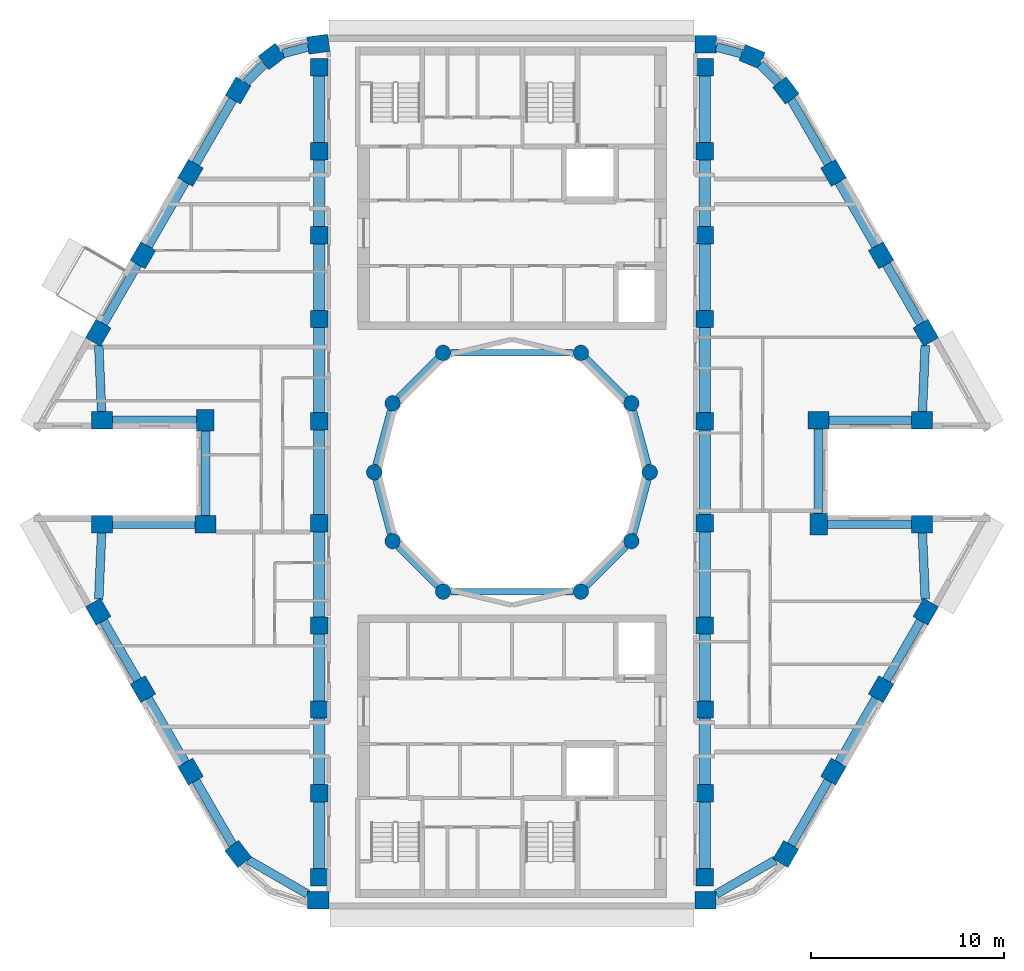
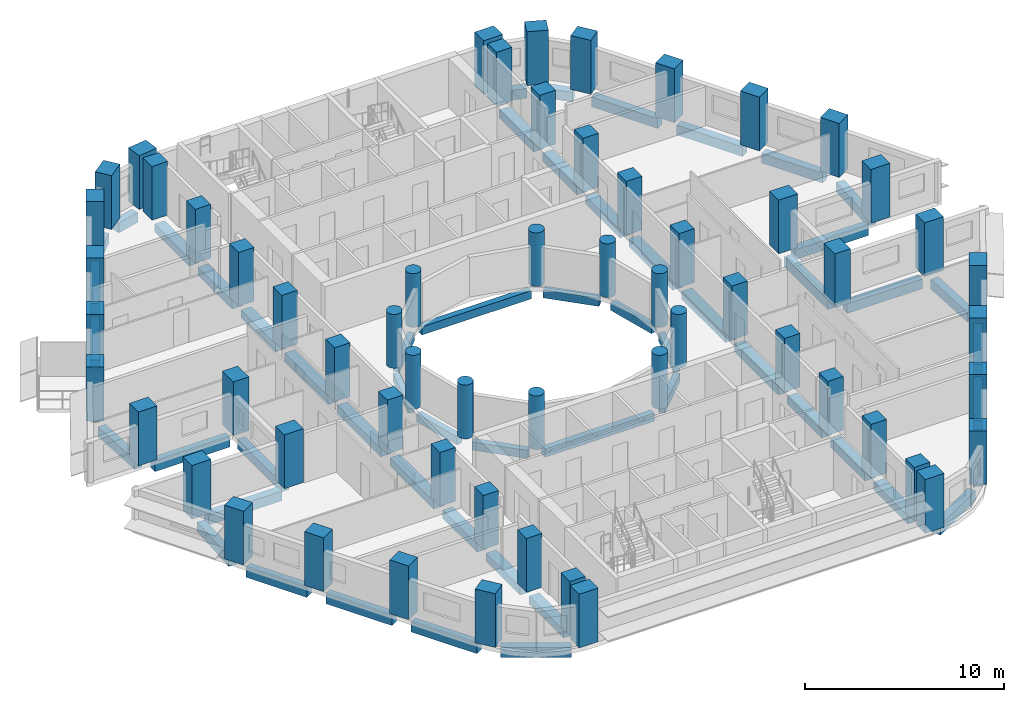
# One storey, part 1 of 13: 60 columns, 56 beams.
"""IFC4 building model written with IfcOpenShell, lengths in metres."""

from ifc_helpers import new_model, si_unit, direction, frame, origin, origin_2d, place, context, subcontext, project, spatial, rectangle, circle, extrude, material, material_profile, profile_set, type_object, element, save


model = new_model("IFC4")

# Units and contexts
model_context = context("Model", 3, precision=1e-05, world=origin(), true_north=direction((0.0, 1.0)))
body_context = subcontext(model_context, "Body", "Model", "MODEL_VIEW")
ifc_project = project(units=[si_unit("LENGTHUNIT", "METRE"), si_unit("AREAUNIT", "SQUARE_METRE"), si_unit("VOLUMEUNIT", "CUBIC_METRE"), si_unit("PLANEANGLEUNIT", "RADIAN"), si_unit("MASSUNIT", "GRAM", prefix="KILO")], contexts=[model_context])

# Site, building, storey
site_placement = place(None, origin())
site = spatial("IfcSite", under=ifc_project, at=site_placement, CompositionType="ELEMENT")
building_placement = place(site_placement, origin())
building = spatial("IfcBuilding", under=site, at=building_placement, Name="Nakaniwa Court", CompositionType="ELEMENT")
storey_placement = place(building_placement, frame((0.0, 0.0, 246.0)))
storey = spatial("IfcBuildingStorey", under=building, at=storey_placement, Name="L64", CompositionType="ELEMENT", Elevation=246.0)

# Columns
ifc_material = material(Name="Concrete C80/100", Category="concrete")
ifc_material_profile_1 = material_profile(ifc_material, rectangle(XDim=1.10009765625, YDim=0.89990234375, at=origin_2d()), Name="Concrete C80/100 RC 1100x900 perimeter column")
ifc_profile_set_1 = profile_set([ifc_material_profile_1], Name="Concrete C80/100")
column_type_1 = type_object("IfcColumnType", Name="Concrete C80/100 RC 1100x900 perimeter column", PredefinedType="COLUMN", material=ifc_profile_set_1)
for number, where, z_axis, x_axis, name in (
    (1, (69.95458984375, 102.199951171875, 0.0), (0.0, 0.0, 1.0), (-0.991442583111, -0.130543496177, 0.0), "COLUMN CO-01"),
    (2, (67.552001953125, 101.560302734375, 0.0), (0.0, 0.0, 1.0), (-0.793363965062, -0.608747582288, 0.0), "COLUMN CO-02"),
    (3, (65.796875, 99.799560546875, 0.0), (0.0, 0.0, 1.0), (-0.5, -0.866025403784, 0.0), "COLUMN CO-03"),
    (4, (63.328857421875, 95.524658203125, 0.0), (0.0, 0.0, 1.0), (-0.5, -0.866025403784, 0.0), "COLUMN CO-04"),
    (5, (60.860595703125, 91.249755859375, 0.0), (0.0, 0.0, 1.0), (-0.5, -0.866025403784, 0.0), "COLUMN CO-05"),
    (6, (58.541015625, 87.232177734375, 0.0), (0.0, 0.0, 1.0), (-0.5, -0.866025403784, 0.0), "COLUMN CO-06"),
    (7, (58.736083984375, 82.699951171875, 0.0), (0.0, 0.0, 1.0), (1.0, 0.0, 0.0), "COLUMN CO-08"),
    (8, (64.1005859375, 82.699951171875, 0.0), (0.0, 0.0, 1.0), (0.0, -1.0, 0.0), "COLUMN CO-09"),
    (9, (64.1005859375, 77.300048828125, 0.0), (0.0, 0.0, 1.0), (-1.0, 0.0, 0.0), "COLUMN CO-10"),
    (10, (58.736083984375, 77.300048828125, 0.0), (0.0, 0.0, 1.0), (-1.0, 0.0, 0.0), "COLUMN CO-11"),
    (11, (58.541015625, 72.767822265625, 0.0), (0.0, 0.0, 1.0), (0.5, -0.866025403784, 0.0), "COLUMN CO-13"),
    (12, (60.860595703125, 68.750244140625, 0.0), (0.0, 0.0, 1.0), (0.5, -0.866025403784, 0.0), "COLUMN CO-14"),
    (13, (63.328857421875, 64.475341796875, 0.0), (0.0, 0.0, 1.0), (0.5, -0.866025403784, 0.0), "COLUMN CO-15"),
    (14, (65.796875, 60.200439453125, 0.0), (0.0, 0.0, 1.0), (0.608761429009, -0.793353340291, 0.0), "COLUMN CO-16"),
    (15, (69.95458984375, 57.800048828125, 0.0), (0.0, 0.0, 1.0), (1.0, 0.0, 0.0), "COLUMN CO-17"),
    (16, (90.03955078125, 57.800048828125, 0.0), (0.0, 0.0, 1.0), (1.0, 0.0, 0.0), "COLUMN CO-21"),
    (17, (94.203125, 60.200439453125, 0.0), (0.0, 0.0, 1.0), (0.5, 0.866025403784, 0.0), "COLUMN CO-22"),
    (18, (96.671142578125, 64.475341796875, 0.0), (0.0, 0.0, 1.0), (0.5, 0.866025403784, 0.0), "COLUMN CO-23"),
    (19, (99.139404296875, 68.750244140625, 0.0), (0.0, 0.0, 1.0), (0.5, 0.866025403784, 0.0), "COLUMN CO-24"),
    (20, (101.458984375, 72.767822265625, 0.0), (0.0, 0.0, 1.0), (0.5, 0.866025403784, 0.0), "COLUMN CO-25"),
    (21, (101.263916015625, 77.300048828125, 0.0), (0.0, 0.0, 1.0), (-1.0, 0.0, 0.0), "COLUMN CO-27"),
    (22, (95.8994140625, 77.300048828125, 0.0), (0.0, 0.0, 1.0), (0.0, 1.0, 0.0), "COLUMN CO-28"),
    (23, (95.8994140625, 82.699951171875, 0.0), (0.0, 0.0, 1.0), (1.0, 0.0, 0.0), "COLUMN CO-29"),
    (24, (101.263916015625, 82.699951171875, 0.0), (0.0, 0.0, 1.0), (1.0, 0.0, 0.0), "COLUMN CO-30"),
    (25, (101.458984375, 87.232177734375, 0.0), (0.0, 0.0, 1.0), (-0.5, 0.866025403784, 0.0), "COLUMN CO-32"),
    (26, (99.139404296875, 91.249755859375, 0.0), (0.0, 0.0, 1.0), (-0.5, 0.866025403784, 0.0), "COLUMN CO-33"),
    (27, (96.671142578125, 95.524658203125, 0.0), (0.0, 0.0, 1.0), (-0.5, 0.866025403784, 0.0), "COLUMN CO-34"),
    (28, (94.203125, 99.799560546875, 0.0), (0.0, 0.0, 1.0), (-0.608761429009, 0.793353340291, 0.0), "COLUMN CO-35"),
    (29, (92.447998046875, 101.560302734375, 0.0), (0.0, 0.0, 1.0), (-0.923879532511, 0.382683432365, 0.0), "COLUMN CO-36"),
    (30, (90.04541015625, 102.199951171875, 0.0), (0.0, 0.0, 1.0), (-1.0, 0.0, 0.0), "COLUMN CO-37"),
):
    element("IfcColumn", number, at=place(storey_placement, frame(where, z_axis=z_axis, x_axis=x_axis)), inside=storey, type_object=column_type_1, Name=name, PredefinedType="COLUMN", context=body_context, shape_type="SweptSolid", body=[
        extrude(rectangle(XDim=1.10009765625, YDim=0.89990234375, at=origin_2d()), origin(), (0.0, 0.0, 1.0), 3.300048828125),
    ])
ifc_material_profile_2 = material_profile(ifc_material, rectangle(XDim=0.89990234375, YDim=0.89990234375, at=origin_2d()), Name="Concrete C80/100 RC 900x900 spine column")
ifc_profile_set_2 = profile_set([ifc_material_profile_2], Name="Concrete C80/100")
column_type_2 = type_object("IfcColumnType", Name="Concrete C80/100 RC 900x900 spine column", PredefinedType="COLUMN", material=ifc_profile_set_2)
for number, where, z_axis, x_axis, name in (
    (31, (90.0, 59.0, 0.0), (0.0, 0.0, 1.0), (0.0, 1.0, 0.0), "COLUMN CS-01"),
    (32, (90.0, 63.35009765625, 0.0), (0.0, 0.0, 1.0), (0.0, 1.0, 0.0), "COLUMN CS-02"),
    (33, (90.0, 67.699951171875, 0.0), (0.0, 0.0, 1.0), (0.0, 1.0, 0.0), "COLUMN CS-03"),
    (34, (90.0, 72.050048828125, 0.0), (0.0, 0.0, 1.0), (0.0, 1.0, 0.0), "COLUMN CS-04"),
    (35, (90.0, 77.35009765625, 0.0), (0.0, 0.0, 1.0), (0.0, 1.0, 0.0), "COLUMN CS-05"),
    (36, (90.0, 82.64990234375, 0.0), (0.0, 0.0, 1.0), (0.0, 1.0, 0.0), "COLUMN CS-06"),
    (37, (90.0, 87.949951171875, 0.0), (0.0, 0.0, 1.0), (0.0, 1.0, 0.0), "COLUMN CS-07"),
    (38, (90.0, 92.300048828125, 0.0), (0.0, 0.0, 1.0), (0.0, 1.0, 0.0), "COLUMN CS-08"),
    (39, (90.0, 96.64990234375, 0.0), (0.0, 0.0, 1.0), (0.0, 1.0, 0.0), "COLUMN CS-09"),
    (40, (90.0, 101.0, 0.0), (0.0, 0.0, 1.0), (0.0, 1.0, 0.0), "COLUMN CS-10"),
    (41, (70.0, 101.0, 0.0), (0.0, 0.0, 1.0), (0.0, -1.0, 0.0), "COLUMN CS-11"),
    (42, (70.0, 96.64990234375, 0.0), (0.0, 0.0, 1.0), (0.0, -1.0, 0.0), "COLUMN CS-12"),
    (43, (70.0, 92.300048828125, 0.0), (0.0, 0.0, 1.0), (0.0, -1.0, 0.0), "COLUMN CS-13"),
    (44, (70.0, 87.949951171875, 0.0), (0.0, 0.0, 1.0), (0.0, -1.0, 0.0), "COLUMN CS-14"),
    (45, (70.0, 82.64990234375, 0.0), (0.0, 0.0, 1.0), (0.0, -1.0, 0.0), "COLUMN CS-15"),
    (46, (70.0, 77.35009765625, 0.0), (0.0, 0.0, 1.0), (0.0, -1.0, 0.0), "COLUMN CS-16"),
    (47, (70.0, 72.050048828125, 0.0), (0.0, 0.0, 1.0), (0.0, -1.0, 0.0), "COLUMN CS-17"),
    (48, (70.0, 67.699951171875, 0.0), (0.0, 0.0, 1.0), (0.0, -1.0, 0.0), "COLUMN CS-18"),
    (49, (70.0, 63.35009765625, 0.0), (0.0, 0.0, 1.0), (0.0, -1.0, 0.0), "COLUMN CS-19"),
    (50, (70.0, 59.0, 0.0), (0.0, 0.0, 1.0), (0.0, -1.0, 0.0), "COLUMN CS-20"),
):
    element("IfcColumn", number, at=place(storey_placement, frame(where, z_axis=z_axis, x_axis=x_axis)), inside=storey, type_object=column_type_2, Name=name, PredefinedType="COLUMN", context=body_context, shape_type="SweptSolid", body=[
        extrude(rectangle(XDim=0.89990234375, YDim=0.89990234375, at=origin_2d()), origin(), (0.0, 0.0, 1.0), 3.300048828125),
    ])
ifc_material_profile_3 = material_profile(ifc_material, circle(Radius=0.39990234375, at=origin_2d()), Name="Concrete C80/100 RC D800 inner ring column")
ifc_profile_set_3 = profile_set([ifc_material_profile_3], Name="Concrete C80/100")
column_type_3 = type_object("IfcColumnType", Name="Concrete C80/100 RC D800 inner ring column", PredefinedType="COLUMN", material=ifc_profile_set_3)
for number, where, z_axis, x_axis, name in (
    (51, (87.14990234375, 80.0, 0.0), (0.0, 0.0, 1.0), (0.0, 1.0, 0.0), "COLUMN CI-01"),
    (52, (86.192138671875, 83.574951171875, 0.0), (0.0, 0.0, 1.0), (-0.5, 0.866025403784, 0.0), "COLUMN CI-02"),
    (53, (83.574951171875, 86.192138671875, 0.0), (0.0, 0.0, 1.0), (-0.866025403784, 0.5, 0.0), "COLUMN CI-03"),
    (54, (76.425048828125, 86.192138671875, 0.0), (0.0, 0.0, 1.0), (-0.866025403784, -0.5, 0.0), "COLUMN CI-05"),
    (55, (73.807861328125, 83.574951171875, 0.0), (0.0, 0.0, 1.0), (-0.5, -0.866025403784, 0.0), "COLUMN CI-06"),
    (56, (72.85009765625, 80.0, 0.0), (0.0, 0.0, 1.0), (0.0, -1.0, 0.0), "COLUMN CI-07"),
    (57, (73.807861328125, 76.425048828125, 0.0), (0.0, 0.0, 1.0), (0.5, -0.866025403784, 0.0), "COLUMN CI-08"),
    (58, (76.425048828125, 73.807861328125, 0.0), (0.0, 0.0, 1.0), (0.866025403784, -0.5, 0.0), "COLUMN CI-09"),
    (59, (83.574951171875, 73.807861328125, 0.0), (0.0, 0.0, 1.0), (0.866025403784, 0.5, 0.0), "COLUMN CI-11"),
    (60, (86.192138671875, 76.425048828125, 0.0), (0.0, 0.0, 1.0), (0.5, 0.866025403784, 0.0), "COLUMN CI-12"),
):
    element("IfcColumn", number, at=place(storey_placement, frame(where, z_axis=z_axis, x_axis=x_axis)), inside=storey, type_object=column_type_3, Name=name, PredefinedType="COLUMN", context=body_context, shape_type="SweptSolid", body=[
        extrude(circle(Radius=0.39990234375, at=origin_2d()), origin(), (0.0, 0.0, 1.0), 3.300048828125),
    ])

# Beams
ifc_material_profile_4 = material_profile(ifc_material, rectangle(XDim=0.35009765625, YDim=0.5, at=origin_2d()), Name="Concrete C80/100 RC 350x500 ring beam")
ifc_profile_set_4 = profile_set([ifc_material_profile_4], Name="Concrete C80/100")
beam_type_1 = type_object("IfcBeamType", Name="Concrete C80/100 RC 350x500 ring beam", PredefinedType="BEAM", material=ifc_profile_set_4)
beam_1_placement = place(storey_placement, frame((87.04638671875, 80.386474609375, -0.52490234375), z_axis=(-0.258778150207, 0.965936783115, 0.0), x_axis=(-0.965936783115, -0.258778150207, 0.0)))
element("IfcBeam", 61, at=beam_1_placement, inside=storey, type_object=beam_type_1, Name="RING BEAM", PredefinedType="BEAM", context=body_context, shape_type="SweptSolid", body=[
    extrude(rectangle(XDim=0.35009765625, YDim=0.5, at=origin_2d()), origin(), (0.0, 0.0, 1.0), 2.901123046875),
])
beam_2_placement = place(storey_placement, frame((85.9091796875, 83.85791015625, -0.52490234375), z_axis=(-0.707106781187, 0.707106781187, 0.0), x_axis=(-0.707106781187, -0.707106781187, 0.0)))
element("IfcBeam", 62, at=beam_2_placement, inside=storey, type_object=beam_type_1, Name="RING BEAM", PredefinedType="BEAM", context=body_context, shape_type="SweptSolid", body=[
    extrude(rectangle(XDim=0.35009765625, YDim=0.5, at=origin_2d()), origin(), (0.0, 0.0, 1.0), 2.90087890625),
])
beam_3_placement = place(storey_placement, frame((83.175048828125, 86.192138671875, -0.52490234375), z_axis=(-1.0, 0.0, 0.0), x_axis=(0.0, -1.0, 0.0)))
element("IfcBeam", 63, at=beam_3_placement, inside=storey, type_object=beam_type_1, Name="RING BEAM", PredefinedType="BEAM", context=body_context, shape_type="SweptSolid", body=[
    extrude(rectangle(XDim=0.35009765625, YDim=0.5, at=origin_2d()), origin(), (0.0, 0.0, 1.0), 6.35009765625),
])
beam_4_placement = place(storey_placement, frame((76.14208984375, 85.9091796875, -0.52490234375), z_axis=(-0.707106781187, -0.707106781187, 0.0), x_axis=(0.707106781187, -0.707106781187, 0.0)))
element("IfcBeam", 64, at=beam_4_placement, inside=storey, type_object=beam_type_1, Name="RING BEAM", PredefinedType="BEAM", context=body_context, shape_type="SweptSolid", body=[
    extrude(rectangle(XDim=0.35009765625, YDim=0.5, at=origin_2d()), origin(), (0.0, 0.0, 1.0), 2.90087890625),
])
for number, where, z_axis, x_axis, name in (
    (65, (73.704345703125, 83.188720703125, -0.52490234375), (-0.258778150207, -0.965936783115, 0.0), (0.965936783115, -0.258778150207, 0.0), "RING BEAM"),
    (66, (72.95361328125, 79.613525390625, -0.52490234375), (0.258778150207, -0.965936783115, 0.0), (0.965936783115, 0.258778150207, 0.0), "RING BEAM"),
):
    element("IfcBeam", number, at=place(storey_placement, frame(where, z_axis=z_axis, x_axis=x_axis)), inside=storey, type_object=beam_type_1, Name=name, PredefinedType="BEAM", context=body_context, shape_type="SweptSolid", body=[
        extrude(rectangle(XDim=0.35009765625, YDim=0.5, at=origin_2d()), origin(), (0.0, 0.0, 1.0), 2.901123046875),
    ])
beam_5_placement = place(storey_placement, frame((74.0908203125, 76.14208984375, -0.52490234375), z_axis=(0.707106781187, -0.707106781187, 0.0), x_axis=(0.707106781187, 0.707106781187, 0.0)))
element("IfcBeam", 67, at=beam_5_placement, inside=storey, type_object=beam_type_1, Name="RING BEAM", PredefinedType="BEAM", context=body_context, shape_type="SweptSolid", body=[
    extrude(rectangle(XDim=0.35009765625, YDim=0.5, at=origin_2d()), origin(), (0.0, 0.0, 1.0), 2.90087890625),
])
beam_6_placement = place(storey_placement, frame((76.824951171875, 73.807861328125, -0.52490234375), z_axis=(1.0, 0.0, 0.0), x_axis=(0.0, 1.0, 0.0)))
element("IfcBeam", 68, at=beam_6_placement, inside=storey, type_object=beam_type_1, Name="RING BEAM", PredefinedType="BEAM", context=body_context, shape_type="SweptSolid", body=[
    extrude(rectangle(XDim=0.35009765625, YDim=0.5, at=origin_2d()), origin(), (0.0, 0.0, 1.0), 6.35009765625),
])
beam_7_placement = place(storey_placement, frame((83.85791015625, 74.0908203125, -0.52490234375), z_axis=(0.707106781187, 0.707106781187, 0.0), x_axis=(-0.707106781187, 0.707106781187, 0.0)))
element("IfcBeam", 69, at=beam_7_placement, inside=storey, type_object=beam_type_1, Name="RING BEAM", PredefinedType="BEAM", context=body_context, shape_type="SweptSolid", body=[
    extrude(rectangle(XDim=0.35009765625, YDim=0.5, at=origin_2d()), origin(), (0.0, 0.0, 1.0), 2.90087890625),
])
beam_8_placement = place(storey_placement, frame((86.295654296875, 76.811279296875, -0.52490234375), z_axis=(0.258778150207, 0.965936783115, 0.0), x_axis=(-0.965936783115, 0.258778150207, 0.0)))
element("IfcBeam", 70, at=beam_8_placement, inside=storey, type_object=beam_type_1, Name="RING BEAM", PredefinedType="BEAM", context=body_context, shape_type="SweptSolid", body=[
    extrude(rectangle(XDim=0.35009765625, YDim=0.5, at=origin_2d()), origin(), (0.0, 0.0, 1.0), 2.901123046875),
])
ifc_material_profile_5 = material_profile(ifc_material, rectangle(XDim=0.449951171875, YDim=0.60009765625, at=origin_2d()), Name="Concrete C80/100 RC 450x600 spandrel beam")
ifc_profile_set_5 = profile_set([ifc_material_profile_5], Name="Concrete C80/100")
beam_type_2 = type_object("IfcBeamType", Name="Concrete C80/100 RC 450x600 spandrel beam", PredefinedType="BEAM", material=ifc_profile_set_5)
beam_9_placement = place(storey_placement, frame((69.418701171875, 102.057373046875, -0.574951171875), z_axis=(-0.966286479475, -0.257469298332, 0.0), x_axis=(0.257469298332, -0.966286479475, 0.0)))
element("IfcBeam", 71, at=beam_9_placement, inside=storey, type_object=beam_type_2, Name="SPANDREL BEAM", PredefinedType="BEAM", context=body_context, shape_type="SweptSolid", body=[
    extrude(rectangle(XDim=0.449951171875, YDim=0.60009765625, at=origin_2d()), origin(), (0.0, 0.0, 1.0), 1.3359375),
])
beam_10_placement = place(storey_placement, frame((67.160400390625, 101.167236328125, -0.574951171875), z_axis=(-0.706030517025, -0.708181409689, 0.0), x_axis=(0.708181409689, -0.706030517025, 0.0)))
element("IfcBeam", 72, at=beam_10_placement, inside=storey, type_object=beam_type_2, Name="SPANDREL BEAM", PredefinedType="BEAM", context=body_context, shape_type="SweptSolid", body=[
    extrude(rectangle(XDim=0.449951171875, YDim=0.60009765625, at=origin_2d()), origin(), (0.0, 0.0, 1.0), 1.362060546875),
])
for number, where, z_axis, x_axis, name in (
    (73, (65.52197265625, 99.3232421875, -0.574951171875), (-0.50001992892, -0.866013897511, 0.0), (0.866013897511, -0.50001992892, 0.0), "SPANDREL BEAM"),
    (74, (63.0537109375, 95.04833984375, -0.574951171875), (-0.499972197867, -0.866041454758, 0.0), (0.866041454758, -0.499972197867, 0.0), "SPANDREL BEAM"),
):
    element("IfcBeam", number, at=place(storey_placement, frame(where, z_axis=z_axis, x_axis=x_axis)), inside=storey, type_object=beam_type_2, Name=name, PredefinedType="BEAM", context=body_context, shape_type="SweptSolid", body=[
        extrude(rectangle(XDim=0.449951171875, YDim=0.60009765625, at=origin_2d()), origin(), (0.0, 0.0, 1.0), 3.836181640625),
    ])
beam_11_placement = place(storey_placement, frame((60.585693359375, 90.7734375, -0.574951171875), z_axis=(-0.499997139945, -0.866027055032, 0.0), x_axis=(0.866027055032, -0.499997139945, 0.0)))
element("IfcBeam", 75, at=beam_11_placement, inside=storey, type_object=beam_type_2, Name="SPANDREL BEAM", PredefinedType="BEAM", context=body_context, shape_type="SweptSolid", body=[
    extrude(rectangle(XDim=0.449951171875, YDim=0.60009765625, at=origin_2d()), origin(), (0.0, 0.0, 1.0), 3.5390625),
])
beam_12_placement = place(storey_placement, frame((58.569091796875, 86.580810546875, -0.574951171875), z_axis=(0.042940503042, -0.999077631217, 0.0), x_axis=(0.999077631217, 0.042940503042, 0.0)))
element("IfcBeam", 76, at=beam_12_placement, inside=storey, type_object=beam_type_2, Name="SPANDREL BEAM", PredefinedType="BEAM", context=body_context, shape_type="SweptSolid", body=[
    extrude(rectangle(XDim=0.449951171875, YDim=0.60009765625, at=origin_2d()), origin(), (0.0, 0.0, 1.0), 3.43408203125),
])
beam_13_placement = place(storey_placement, frame((59.285888671875, 82.699951171875, -0.574951171875), z_axis=(1.0, 0.0, 0.0), x_axis=(0.0, 1.0, 0.0)))
element("IfcBeam", 77, at=beam_13_placement, inside=storey, type_object=beam_type_2, Name="SPANDREL BEAM", PredefinedType="BEAM", context=body_context, shape_type="SweptSolid", body=[
    extrude(rectangle(XDim=0.449951171875, YDim=0.60009765625, at=origin_2d()), origin(), (0.0, 0.0, 1.0), 4.364501953125),
])
beam_14_placement = place(storey_placement, frame((64.1005859375, 82.14990234375, -0.574951171875), z_axis=(0.0, -1.0, 0.0), x_axis=(1.0, 0.0, 0.0)))
element("IfcBeam", 78, at=beam_14_placement, inside=storey, type_object=beam_type_2, Name="SPANDREL BEAM", PredefinedType="BEAM", context=body_context, shape_type="SweptSolid", body=[
    extrude(rectangle(XDim=0.449951171875, YDim=0.60009765625, at=origin_2d()), origin(), (0.0, 0.0, 1.0), 4.39990234375),
])
beam_15_placement = place(storey_placement, frame((63.550537109375, 77.300048828125, -0.574951171875), z_axis=(-1.0, 0.0, 0.0), x_axis=(0.0, -1.0, 0.0)))
element("IfcBeam", 79, at=beam_15_placement, inside=storey, type_object=beam_type_2, Name="SPANDREL BEAM", PredefinedType="BEAM", context=body_context, shape_type="SweptSolid", body=[
    extrude(rectangle(XDim=0.449951171875, YDim=0.60009765625, at=origin_2d()), origin(), (0.0, 0.0, 1.0), 4.2646484375),
])
beam_16_placement = place(storey_placement, frame((58.716552734375, 76.85009765625, -0.574951171875), z_axis=(-0.042940503042, -0.999077631217, 0.0), x_axis=(0.999077631217, -0.042940503042, 0.0)))
element("IfcBeam", 80, at=beam_16_placement, inside=storey, type_object=beam_type_2, Name="SPANDREL BEAM", PredefinedType="BEAM", context=body_context, shape_type="SweptSolid", body=[
    extrude(rectangle(XDim=0.449951171875, YDim=0.60009765625, at=origin_2d()), origin(), (0.0, 0.0, 1.0), 3.43408203125),
])
beam_17_placement = place(storey_placement, frame((58.816162109375, 72.29150390625, -0.574951171875), z_axis=(0.499997139945, -0.866027055032, 0.0), x_axis=(0.866027055032, 0.499997139945, 0.0)))
element("IfcBeam", 81, at=beam_17_placement, inside=storey, type_object=beam_type_2, Name="SPANDREL BEAM", PredefinedType="BEAM", context=body_context, shape_type="SweptSolid", body=[
    extrude(rectangle(XDim=0.449951171875, YDim=0.60009765625, at=origin_2d()), origin(), (0.0, 0.0, 1.0), 3.5390625),
])
beam_18_placement = place(storey_placement, frame((61.1357421875, 68.27392578125, -0.574951171875), z_axis=(0.499972197867, -0.866041454758, 0.0), x_axis=(0.866041454758, 0.499972197867, 0.0)))
element("IfcBeam", 82, at=beam_18_placement, inside=storey, type_object=beam_type_2, Name="SPANDREL BEAM", PredefinedType="BEAM", context=body_context, shape_type="SweptSolid", body=[
    extrude(rectangle(XDim=0.449951171875, YDim=0.60009765625, at=origin_2d()), origin(), (0.0, 0.0, 1.0), 3.836181640625),
])
beam_19_placement = place(storey_placement, frame((63.603759765625, 63.9990234375, -0.574951171875), z_axis=(0.500011110731, -0.866018988906, 0.0), x_axis=(0.866018988906, 0.500011110731, 0.0)))
element("IfcBeam", 83, at=beam_19_placement, inside=storey, type_object=beam_type_2, Name="SPANDREL BEAM", PredefinedType="BEAM", context=body_context, shape_type="SweptSolid", body=[
    extrude(rectangle(XDim=0.449951171875, YDim=0.60009765625, at=origin_2d()), origin(), (0.0, 0.0, 1.0), 3.83154296875),
])
beam_20_placement = place(storey_placement, frame((66.3125, 59.90283203125, -0.574951171875), z_axis=(0.866017069707, -0.500014434768, 0.0), x_axis=(0.500014434768, 0.866017069707, 0.0)))
element("IfcBeam", 84, at=beam_20_placement, inside=storey, type_object=beam_type_2, Name="SPANDREL BEAM", PredefinedType="BEAM", context=body_context, shape_type="SweptSolid", body=[
    extrude(rectangle(XDim=0.449951171875, YDim=0.60009765625, at=origin_2d()), origin(), (0.0, 0.0, 1.0), 3.57080078125),
])
beam_21_placement = place(storey_placement, frame((90.589599609375, 58.1171875, -0.574951171875), z_axis=(0.866307414098, 0.499511225378, 0.0), x_axis=(-0.499511225378, 0.866307414098, 0.0)))
element("IfcBeam", 85, at=beam_21_placement, inside=storey, type_object=beam_type_2, Name="SPANDREL BEAM", PredefinedType="BEAM", context=body_context, shape_type="SweptSolid", body=[
    extrude(rectangle(XDim=0.449951171875, YDim=0.60009765625, at=origin_2d()), origin(), (0.0, 0.0, 1.0), 3.53564453125),
])
for number, where, z_axis, x_axis, name in (
    (86, (94.47802734375, 60.6767578125, -0.574951171875), (0.50001992892, 0.866013897511, 0.0), (-0.866013897511, 0.50001992892, 0.0), "SPANDREL BEAM"),
    (87, (96.9462890625, 64.95166015625, -0.574951171875), (0.499972197867, 0.866041454758, 0.0), (-0.866041454758, 0.499972197867, 0.0), "SPANDREL BEAM"),
):
    element("IfcBeam", number, at=place(storey_placement, frame(where, z_axis=z_axis, x_axis=x_axis)), inside=storey, type_object=beam_type_2, Name=name, PredefinedType="BEAM", context=body_context, shape_type="SweptSolid", body=[
        extrude(rectangle(XDim=0.449951171875, YDim=0.60009765625, at=origin_2d()), origin(), (0.0, 0.0, 1.0), 3.836181640625),
    ])
beam_22_placement = place(storey_placement, frame((99.414306640625, 69.2265625, -0.574951171875), z_axis=(0.499997139945, 0.866027055032, 0.0), x_axis=(-0.866027055032, 0.499997139945, 0.0)))
element("IfcBeam", 88, at=beam_22_placement, inside=storey, type_object=beam_type_2, Name="SPANDREL BEAM", PredefinedType="BEAM", context=body_context, shape_type="SweptSolid", body=[
    extrude(rectangle(XDim=0.449951171875, YDim=0.60009765625, at=origin_2d()), origin(), (0.0, 0.0, 1.0), 3.5390625),
])
beam_23_placement = place(storey_placement, frame((101.430908203125, 73.419189453125, -0.574951171875), z_axis=(-0.042940503042, 0.999077631217, 0.0), x_axis=(-0.999077631217, -0.042940503042, 0.0)))
element("IfcBeam", 89, at=beam_23_placement, inside=storey, type_object=beam_type_2, Name="SPANDREL BEAM", PredefinedType="BEAM", context=body_context, shape_type="SweptSolid", body=[
    extrude(rectangle(XDim=0.449951171875, YDim=0.60009765625, at=origin_2d()), origin(), (0.0, 0.0, 1.0), 3.43408203125),
])
beam_24_placement = place(storey_placement, frame((100.714111328125, 77.300048828125, -0.574951171875), z_axis=(-1.0, 0.0, 0.0), x_axis=(0.0, -1.0, 0.0)))
element("IfcBeam", 90, at=beam_24_placement, inside=storey, type_object=beam_type_2, Name="SPANDREL BEAM", PredefinedType="BEAM", context=body_context, shape_type="SweptSolid", body=[
    extrude(rectangle(XDim=0.449951171875, YDim=0.60009765625, at=origin_2d()), origin(), (0.0, 0.0, 1.0), 4.364501953125),
])
beam_25_placement = place(storey_placement, frame((95.8994140625, 77.85009765625, -0.574951171875), z_axis=(0.0, 1.0, 0.0), x_axis=(-1.0, 0.0, 0.0)))
element("IfcBeam", 91, at=beam_25_placement, inside=storey, type_object=beam_type_2, Name="SPANDREL BEAM", PredefinedType="BEAM", context=body_context, shape_type="SweptSolid", body=[
    extrude(rectangle(XDim=0.449951171875, YDim=0.60009765625, at=origin_2d()), origin(), (0.0, 0.0, 1.0), 4.39990234375),
])
beam_26_placement = place(storey_placement, frame((96.449462890625, 82.699951171875, -0.574951171875), z_axis=(1.0, 0.0, 0.0), x_axis=(0.0, 1.0, 0.0)))
element("IfcBeam", 92, at=beam_26_placement, inside=storey, type_object=beam_type_2, Name="SPANDREL BEAM", PredefinedType="BEAM", context=body_context, shape_type="SweptSolid", body=[
    extrude(rectangle(XDim=0.449951171875, YDim=0.60009765625, at=origin_2d()), origin(), (0.0, 0.0, 1.0), 4.2646484375),
])
beam_27_placement = place(storey_placement, frame((101.283447265625, 83.14990234375, -0.574951171875), z_axis=(0.042940503042, 0.999077631217, 0.0), x_axis=(-0.999077631217, 0.042940503042, 0.0)))
element("IfcBeam", 93, at=beam_27_placement, inside=storey, type_object=beam_type_2, Name="SPANDREL BEAM", PredefinedType="BEAM", context=body_context, shape_type="SweptSolid", body=[
    extrude(rectangle(XDim=0.449951171875, YDim=0.60009765625, at=origin_2d()), origin(), (0.0, 0.0, 1.0), 3.43408203125),
])
beam_28_placement = place(storey_placement, frame((101.183837890625, 87.70849609375, -0.574951171875), z_axis=(-0.499997139945, 0.866027055032, 0.0), x_axis=(-0.866027055032, -0.499997139945, 0.0)))
element("IfcBeam", 94, at=beam_28_placement, inside=storey, type_object=beam_type_2, Name="SPANDREL BEAM", PredefinedType="BEAM", context=body_context, shape_type="SweptSolid", body=[
    extrude(rectangle(XDim=0.449951171875, YDim=0.60009765625, at=origin_2d()), origin(), (0.0, 0.0, 1.0), 3.5390625),
])
beam_29_placement = place(storey_placement, frame((98.8642578125, 91.72607421875, -0.574951171875), z_axis=(-0.499972197867, 0.866041454758, 0.0), x_axis=(-0.866041454758, -0.499972197867, 0.0)))
element("IfcBeam", 95, at=beam_29_placement, inside=storey, type_object=beam_type_2, Name="SPANDREL BEAM", PredefinedType="BEAM", context=body_context, shape_type="SweptSolid", body=[
    extrude(rectangle(XDim=0.449951171875, YDim=0.60009765625, at=origin_2d()), origin(), (0.0, 0.0, 1.0), 3.836181640625),
])
beam_30_placement = place(storey_placement, frame((96.396240234375, 96.0009765625, -0.574951171875), z_axis=(-0.500011110731, 0.866018988906, 0.0), x_axis=(-0.866018988906, -0.500011110731, 0.0)))
element("IfcBeam", 96, at=beam_30_placement, inside=storey, type_object=beam_type_2, Name="SPANDREL BEAM", PredefinedType="BEAM", context=body_context, shape_type="SweptSolid", body=[
    extrude(rectangle(XDim=0.449951171875, YDim=0.60009765625, at=origin_2d()), origin(), (0.0, 0.0, 1.0), 3.83154296875),
])
beam_31_placement = place(storey_placement, frame((93.8115234375, 100.1923828125, -0.574951171875), z_axis=(-0.706100745773, 0.708111387296, 0.0), x_axis=(-0.708111387296, -0.706100745773, 0.0)))
element("IfcBeam", 97, at=beam_31_placement, inside=storey, type_object=beam_type_2, Name="SPANDREL BEAM", PredefinedType="BEAM", context=body_context, shape_type="SweptSolid", body=[
    extrude(rectangle(XDim=0.449951171875, YDim=0.60009765625, at=origin_2d()), origin(), (0.0, 0.0, 1.0), 1.335693359375),
])
beam_32_placement = place(storey_placement, frame((91.91162109375, 101.702880859375, -0.574951171875), z_axis=(-0.966318174979, 0.257350315146, 0.0), x_axis=(-0.257350315146, -0.966318174979, 0.0)))
element("IfcBeam", 98, at=beam_32_placement, inside=storey, type_object=beam_type_2, Name="SPANDREL BEAM", PredefinedType="BEAM", context=body_context, shape_type="SweptSolid", body=[
    extrude(rectangle(XDim=0.449951171875, YDim=0.60009765625, at=origin_2d()), origin(), (0.0, 0.0, 1.0), 1.3623046875),
])
ifc_material_profile_6 = material_profile(ifc_material, rectangle(XDim=0.60009765625, YDim=0.5, at=origin_2d()), Name="Concrete C80/100 RC 600x500 ring beam")
ifc_profile_set_6 = profile_set([ifc_material_profile_6], Name="Concrete C80/100")
beam_type_3 = type_object("IfcBeamType", Name="Concrete C80/100 RC 600x500 ring beam", PredefinedType="BEAM", material=ifc_profile_set_6)
for number, where, z_axis, x_axis, name in (
    (99, (90.0, 59.449951171875, -0.52490234375), (0.0, 1.0, 0.0), (-1.0, 0.0, 0.0), "RING BEAM"),
    (100, (90.0, 63.800048828125, -0.52490234375), (0.0, 1.0, 0.0), (-1.0, 0.0, 0.0), "RING BEAM"),
):
    element("IfcBeam", number, at=place(storey_placement, frame(where, z_axis=z_axis, x_axis=x_axis)), inside=storey, type_object=beam_type_3, Name=name, PredefinedType="BEAM", context=body_context, shape_type="SweptSolid", body=[
        extrude(rectangle(XDim=0.60009765625, YDim=0.5, at=origin_2d()), origin(), (0.0, 0.0, 1.0), 3.449951171875),
    ])
beam_33_placement = place(storey_placement, frame((90.0, 68.14990234375, -0.52490234375), z_axis=(0.0, 1.0, 0.0), x_axis=(-1.0, 0.0, 0.0)))
element("IfcBeam", 101, at=beam_33_placement, inside=storey, type_object=beam_type_3, Name="RING BEAM", PredefinedType="BEAM", context=body_context, shape_type="SweptSolid", body=[
    extrude(rectangle(XDim=0.60009765625, YDim=0.5, at=origin_2d()), origin(), (0.0, 0.0, 1.0), 3.4501953125),
])
for number, where, z_axis, x_axis, name in (
    (102, (90.0, 72.5, -0.52490234375), (0.0, 1.0, 0.0), (-1.0, 0.0, 0.0), "RING BEAM"),
    (103, (90.0, 77.800048828125, -0.52490234375), (0.0, 1.0, 0.0), (-1.0, 0.0, 0.0), "RING BEAM"),
    (104, (90.0, 83.10009765625, -0.52490234375), (0.0, 1.0, 0.0), (-1.0, 0.0, 0.0), "RING BEAM"),
):
    element("IfcBeam", number, at=place(storey_placement, frame(where, z_axis=z_axis, x_axis=x_axis)), inside=storey, type_object=beam_type_3, Name=name, PredefinedType="BEAM", context=body_context, shape_type="SweptSolid", body=[
        extrude(rectangle(XDim=0.60009765625, YDim=0.5, at=origin_2d()), origin(), (0.0, 0.0, 1.0), 4.39990234375),
    ])
beam_34_placement = place(storey_placement, frame((90.0, 88.39990234375, -0.52490234375), z_axis=(0.0, 1.0, 0.0), x_axis=(-1.0, 0.0, 0.0)))
element("IfcBeam", 105, at=beam_34_placement, inside=storey, type_object=beam_type_3, Name="RING BEAM", PredefinedType="BEAM", context=body_context, shape_type="SweptSolid", body=[
    extrude(rectangle(XDim=0.60009765625, YDim=0.5, at=origin_2d()), origin(), (0.0, 0.0, 1.0), 3.4501953125),
])
for number, where, z_axis, x_axis, name in (
    (106, (90.0, 92.75, -0.52490234375), (0.0, 1.0, 0.0), (-1.0, 0.0, 0.0), "RING BEAM"),
    (107, (90.0, 97.10009765625, -0.52490234375), (0.0, 1.0, 0.0), (-1.0, 0.0, 0.0), "RING BEAM"),
    (108, (70.0, 100.550048828125, -0.52490234375), (0.0, -1.0, 0.0), (1.0, 0.0, 0.0), "RING BEAM"),
    (109, (70.0, 96.199951171875, -0.52490234375), (0.0, -1.0, 0.0), (1.0, 0.0, 0.0), "RING BEAM"),
):
    element("IfcBeam", number, at=place(storey_placement, frame(where, z_axis=z_axis, x_axis=x_axis)), inside=storey, type_object=beam_type_3, Name=name, PredefinedType="BEAM", context=body_context, shape_type="SweptSolid", body=[
        extrude(rectangle(XDim=0.60009765625, YDim=0.5, at=origin_2d()), origin(), (0.0, 0.0, 1.0), 3.449951171875),
    ])
beam_35_placement = place(storey_placement, frame((70.0, 91.85009765625, -0.52490234375), z_axis=(0.0, -1.0, 0.0), x_axis=(1.0, 0.0, 0.0)))
element("IfcBeam", 110, at=beam_35_placement, inside=storey, type_object=beam_type_3, Name="RING BEAM", PredefinedType="BEAM", context=body_context, shape_type="SweptSolid", body=[
    extrude(rectangle(XDim=0.60009765625, YDim=0.5, at=origin_2d()), origin(), (0.0, 0.0, 1.0), 3.4501953125),
])
for number, where, z_axis, x_axis, name in (
    (111, (70.0, 87.5, -0.52490234375), (0.0, -1.0, 0.0), (1.0, 0.0, 0.0), "RING BEAM"),
    (112, (70.0, 82.199951171875, -0.52490234375), (0.0, -1.0, 0.0), (1.0, 0.0, 0.0), "RING BEAM"),
    (113, (70.0, 76.89990234375, -0.52490234375), (0.0, -1.0, 0.0), (1.0, 0.0, 0.0), "RING BEAM"),
):
    element("IfcBeam", number, at=place(storey_placement, frame(where, z_axis=z_axis, x_axis=x_axis)), inside=storey, type_object=beam_type_3, Name=name, PredefinedType="BEAM", context=body_context, shape_type="SweptSolid", body=[
        extrude(rectangle(XDim=0.60009765625, YDim=0.5, at=origin_2d()), origin(), (0.0, 0.0, 1.0), 4.39990234375),
    ])
beam_36_placement = place(storey_placement, frame((70.0, 71.60009765625, -0.52490234375), z_axis=(0.0, -1.0, 0.0), x_axis=(1.0, 0.0, 0.0)))
element("IfcBeam", 114, at=beam_36_placement, inside=storey, type_object=beam_type_3, Name="RING BEAM", PredefinedType="BEAM", context=body_context, shape_type="SweptSolid", body=[
    extrude(rectangle(XDim=0.60009765625, YDim=0.5, at=origin_2d()), origin(), (0.0, 0.0, 1.0), 3.4501953125),
])
for number, where, z_axis, x_axis, name in (
    (115, (70.0, 67.25, -0.52490234375), (0.0, -1.0, 0.0), (1.0, 0.0, 0.0), "RING BEAM"),
    (116, (70.0, 62.89990234375, -0.52490234375), (0.0, -1.0, 0.0), (1.0, 0.0, 0.0), "RING BEAM"),
):
    element("IfcBeam", number, at=place(storey_placement, frame(where, z_axis=z_axis, x_axis=x_axis)), inside=storey, type_object=beam_type_3, Name=name, PredefinedType="BEAM", context=body_context, shape_type="SweptSolid", body=[
        extrude(rectangle(XDim=0.60009765625, YDim=0.5, at=origin_2d()), origin(), (0.0, 0.0, 1.0), 3.449951171875),
    ])

save(model, "model.ifc")
